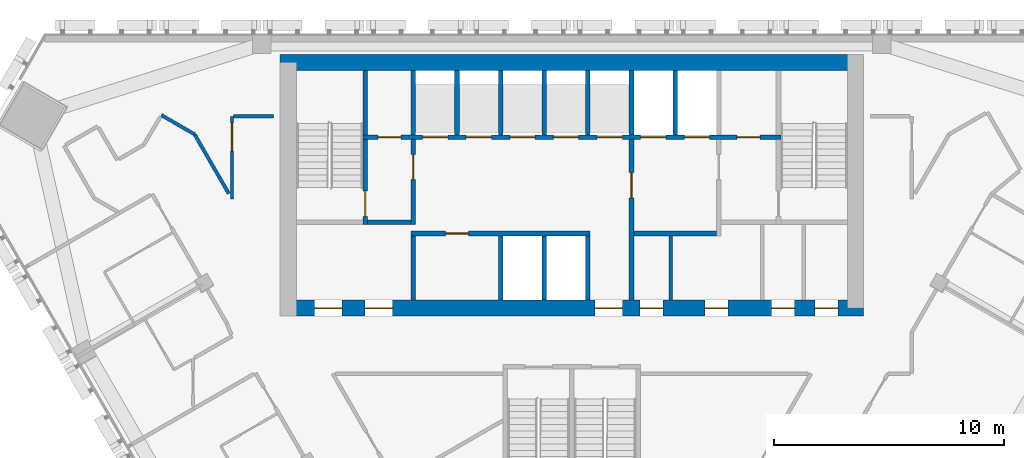
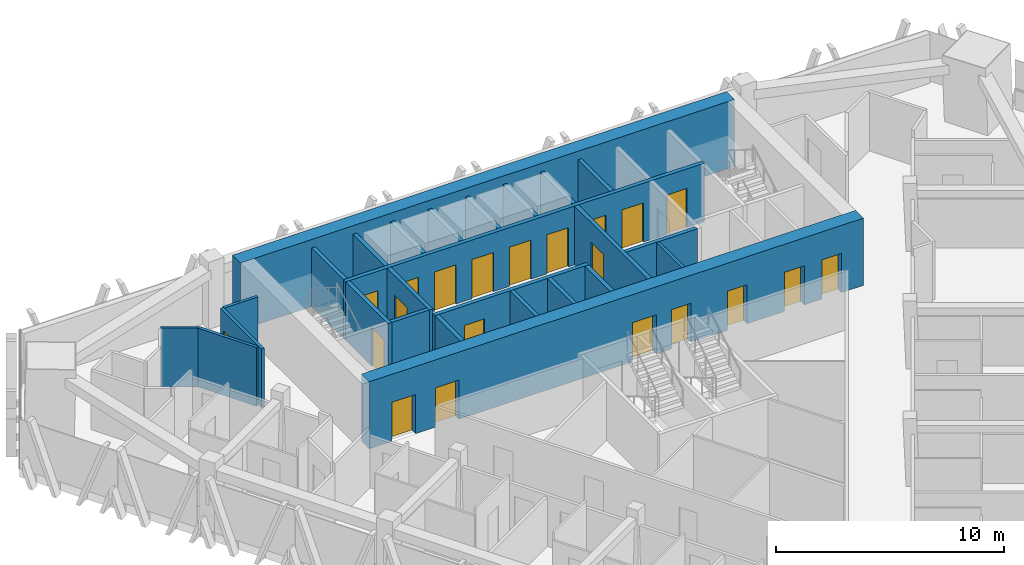
# One storey, part 11 of 16: 26 walls, 21 doors, 21 openings.
"""IFC4 building model written with IfcOpenShell, lengths in metres."""

from ifc_helpers import new_model, si_unit, direction, frame, frame_2d, origin, place, context, subcontext, project, spatial, rectangle, extrude, material, layer, layer_set, type_object, element, fill, save


model = new_model("IFC4")

# Units and contexts
model_context = context("Model", 3, precision=1e-05, world=origin(), true_north=direction((0.0, 1.0)))
body_context = subcontext(model_context, "Body", "Model", "MODEL_VIEW")
ifc_project = project(units=[si_unit("LENGTHUNIT", "METRE"), si_unit("AREAUNIT", "SQUARE_METRE"), si_unit("VOLUMEUNIT", "CUBIC_METRE"), si_unit("PLANEANGLEUNIT", "RADIAN"), si_unit("MASSUNIT", "GRAM", prefix="KILO")], contexts=[model_context])

# Site, building, storey
site_placement = place(None, origin())
site = spatial("IfcSite", under=ifc_project, at=site_placement, CompositionType="ELEMENT")
building_placement = place(site_placement, origin())
building = spatial("IfcBuilding", under=site, at=building_placement, Name="Altiplano Prism Tower", CompositionType="ELEMENT")
storey_placement = place(building_placement, frame((0.0, 0.0, 174.60009765625)))
storey = spatial("IfcBuildingStorey", under=building, at=storey_placement, Name="L45", CompositionType="ELEMENT", Elevation=174.60009765625)

# Wall, openings, doors
ifc_material_1 = material(Name="Concrete C60/75", Category="concrete")
ifc_layer_1 = layer(ifc_material_1, 0.699951171875)
ifc_layer_set_1 = layer_set([ifc_layer_1], Name="Concrete C60/75")
wall_type_1 = type_object("IfcWallType", Name="Core wall 700", PredefinedType="SHEAR", material=ifc_layer_set_1)
wall_1_placement = place(storey_placement, frame((72.64990234375, 93.050048828125, 0.0), z_axis=(0.0, 0.0, 1.0), x_axis=(1.0, 0.0, 0.0)))
wall_1 = element("IfcWall", 1, at=wall_1_placement, inside=storey, type_object=wall_type_1, Name="Core wall S L45", PredefinedType="SHEAR", context=body_context, shape_type="SweptSolid", body=[
    extrude(rectangle(XDim=25.050048828125, YDim=0.699951171875, at=frame_2d((12.52490234375, 0.0))), origin(), (0.0, 0.0, 1.0), 3.599853515625),
])
opening_1_placement = place(wall_1_placement, frame((1.14990234375, 0.0, 0.0)))
opening_1 = element("IfcOpeningElement", 2, at=opening_1_placement, cuts=wall_1, Name="Opening D3201", PredefinedType="OPENING", context=body_context, shape_type="SweptSolid", body=[
    extrude(rectangle(XDim=1.199951171875, YDim=2.10009765625, at=frame_2d((0.60009765625, 1.050048828125))), frame((0.0, 0.3603515625, 0.0), z_axis=(0.0, -1.0, 0.0), x_axis=(1.0, 0.0, 0.0)), (0.0, 0.0, 1.0), 0.720947265625),
])
opening_2_placement = place(wall_1_placement, frame((3.35009765625, 0.0, 0.0)))
opening_2 = element("IfcOpeningElement", 3, at=opening_2_placement, cuts=wall_1, Name="Opening D3202", PredefinedType="OPENING", context=body_context, shape_type="SweptSolid", body=[
    extrude(rectangle(XDim=1.199951171875, YDim=2.10009765625, at=frame_2d((0.60009765625, 1.050048828125))), frame((0.0, 0.3603515625, 0.0), z_axis=(0.0, -1.0, 0.0), x_axis=(1.0, 0.0, 0.0)), (0.0, 0.0, 1.0), 0.720947265625),
])
opening_3_placement = place(wall_1_placement, frame((13.35009765625, 0.0, 0.0)))
opening_3 = element("IfcOpeningElement", 4, at=opening_3_placement, cuts=wall_1, Name="Opening D3203", PredefinedType="OPENING", context=body_context, shape_type="SweptSolid", body=[
    extrude(rectangle(XDim=1.199951171875, YDim=2.10009765625, at=frame_2d((0.60009765625, 1.050048828125))), frame((0.0, 0.3603515625, 0.0), z_axis=(0.0, -1.0, 0.0), x_axis=(1.0, 0.0, 0.0)), (0.0, 0.0, 1.0), 0.720947265625),
])
opening_4_placement = place(wall_1_placement, frame((15.3125, 0.0, 0.0)))
opening_4 = element("IfcOpeningElement", 5, at=opening_4_placement, cuts=wall_1, Name="Opening D3206", PredefinedType="OPENING", context=body_context, shape_type="SweptSolid", body=[
    extrude(rectangle(XDim=1.0, YDim=2.10009765625, at=frame_2d((0.5, 1.050048828125))), frame((0.0, 0.3603515625, 0.0), z_axis=(0.0, -1.0, 0.0), x_axis=(1.0, 0.0, 0.0)), (0.0, 0.0, 1.0), 0.720947265625),
])
opening_5_placement = place(wall_1_placement, frame((18.14990234375, 0.0, 0.0)))
opening_5 = element("IfcOpeningElement", 6, at=opening_5_placement, cuts=wall_1, Name="Opening D3207", PredefinedType="OPENING", context=body_context, shape_type="SweptSolid", body=[
    extrude(rectangle(XDim=1.0, YDim=2.10009765625, at=frame_2d((0.5, 1.050048828125))), frame((0.0, 0.3603515625, 0.0), z_axis=(0.0, -1.0, 0.0), x_axis=(1.0, 0.0, 0.0)), (0.0, 0.0, 1.0), 0.720947265625),
])
opening_6_placement = place(wall_1_placement, frame((21.050048828125, 0.0, 0.0)))
opening_6 = element("IfcOpeningElement", 7, at=opening_6_placement, cuts=wall_1, Name="Opening D3208", PredefinedType="OPENING", context=body_context, shape_type="SweptSolid", body=[
    extrude(rectangle(XDim=1.0, YDim=2.10009765625, at=frame_2d((0.5, 1.050048828125))), frame((0.0, 0.3603515625, 0.0), z_axis=(0.0, -1.0, 0.0), x_axis=(1.0, 0.0, 0.0)), (0.0, 0.0, 1.0), 0.720947265625),
])
opening_7_placement = place(wall_1_placement, frame((22.9375, 0.0, 0.0)))
opening_7 = element("IfcOpeningElement", 8, at=opening_7_placement, cuts=wall_1, Name="Opening D3209", PredefinedType="OPENING", context=body_context, shape_type="SweptSolid", body=[
    extrude(rectangle(XDim=1.0, YDim=2.10009765625, at=frame_2d((0.5, 1.050048828125))), frame((0.0, 0.3603515625, 0.0), z_axis=(0.0, -1.0, 0.0), x_axis=(1.0, 0.0, 0.0)), (0.0, 0.0, 1.0), 0.720947265625),
])
ifc_material_2 = material(Name="Fire-rated steel door", Category="steel")
door_type_1 = type_object("IfcDoorType", Name="Core room door 1000 x 2100", OperationType="NOTDEFINED", PredefinedType="NOTDEFINED", material=ifc_material_2)
door_1_placement = place(opening_4_placement, origin())
door_1 = element("IfcDoor", 9, at=door_1_placement, inside=storey, type_object=door_type_1, Name="Core room door D3206", OperationType="SINGLE_SWING_RIGHT", OverallHeight=2.10009765625, OverallWidth=1.0, PredefinedType="NOTDEFINED", context=body_context, shape_type="SweptSolid", body=[
    extrude(rectangle(XDim=1.0, YDim=2.10009765625, at=frame_2d((0.5, 1.050048828125))), frame((0.0, 0.02490234375, 0.0), z_axis=(0.0, -1.0, 0.0), x_axis=(1.0, 0.0, 0.0)), (0.0, 0.0, 1.0), 0.050048828125),
])
fill(opening_4, door_1)
door_2_placement = place(opening_5_placement, origin())
door_2 = element("IfcDoor", 10, at=door_2_placement, inside=storey, type_object=door_type_1, Name="Core room door D3207", OperationType="SINGLE_SWING_LEFT", OverallHeight=2.10009765625, OverallWidth=1.0, PredefinedType="NOTDEFINED", context=body_context, shape_type="SweptSolid", body=[
    extrude(rectangle(XDim=1.0, YDim=2.10009765625, at=frame_2d((0.5, 1.050048828125))), frame((0.0, 0.02490234375, 0.0), z_axis=(0.0, -1.0, 0.0), x_axis=(1.0, 0.0, 0.0)), (0.0, 0.0, 1.0), 0.050048828125),
])
fill(opening_5, door_2)
door_3_placement = place(opening_6_placement, origin())
door_3 = element("IfcDoor", 11, at=door_3_placement, inside=storey, type_object=door_type_1, Name="Core room door D3208", OperationType="SINGLE_SWING_RIGHT", OverallHeight=2.10009765625, OverallWidth=1.0, PredefinedType="NOTDEFINED", context=body_context, shape_type="SweptSolid", body=[
    extrude(rectangle(XDim=1.0, YDim=2.10009765625, at=frame_2d((0.5, 1.050048828125))), frame((0.0, 0.02490234375, 0.0), z_axis=(0.0, -1.0, 0.0), x_axis=(1.0, 0.0, 0.0)), (0.0, 0.0, 1.0), 0.050048828125),
])
fill(opening_6, door_3)
door_4_placement = place(opening_7_placement, origin())
door_4 = element("IfcDoor", 12, at=door_4_placement, inside=storey, type_object=door_type_1, Name="Core room door D3209", OperationType="SINGLE_SWING_LEFT", OverallHeight=2.10009765625, OverallWidth=1.0, PredefinedType="NOTDEFINED", context=body_context, shape_type="SweptSolid", body=[
    extrude(rectangle(XDim=1.0, YDim=2.10009765625, at=frame_2d((0.5, 1.050048828125))), frame((0.0, 0.02490234375, 0.0), z_axis=(0.0, -1.0, 0.0), x_axis=(1.0, 0.0, 0.0)), (0.0, 0.0, 1.0), 0.050048828125),
])
fill(opening_7, door_4)
door_type_2 = type_object("IfcDoorType", Name="Lobby fire door 1200 x 2100", OperationType="NOTDEFINED", PredefinedType="NOTDEFINED", material=ifc_material_2)
door_5_placement = place(opening_1_placement, origin())
door_5 = element("IfcDoor", 13, at=door_5_placement, inside=storey, type_object=door_type_2, Name="Lobby fire door D3201", OperationType="SINGLE_SWING_RIGHT", OverallHeight=2.10009765625, OverallWidth=1.199951171875, PredefinedType="NOTDEFINED", context=body_context, shape_type="SweptSolid", body=[
    extrude(rectangle(XDim=1.199951171875, YDim=2.10009765625, at=frame_2d((0.60009765625, 1.050048828125))), frame((0.0, 0.02490234375, 0.0), z_axis=(0.0, -1.0, 0.0), x_axis=(1.0, 0.0, 0.0)), (0.0, 0.0, 1.0), 0.050048828125),
])
fill(opening_1, door_5)
door_6_placement = place(opening_2_placement, origin())
door_6 = element("IfcDoor", 14, at=door_6_placement, inside=storey, type_object=door_type_2, Name="Lobby fire door D3202", OperationType="SINGLE_SWING_LEFT", OverallHeight=2.10009765625, OverallWidth=1.199951171875, PredefinedType="NOTDEFINED", context=body_context, shape_type="SweptSolid", body=[
    extrude(rectangle(XDim=1.199951171875, YDim=2.10009765625, at=frame_2d((0.60009765625, 1.050048828125))), frame((0.0, 0.02490234375, 0.0), z_axis=(0.0, -1.0, 0.0), x_axis=(1.0, 0.0, 0.0)), (0.0, 0.0, 1.0), 0.050048828125),
])
fill(opening_2, door_6)
door_7_placement = place(opening_3_placement, origin())
door_7 = element("IfcDoor", 15, at=door_7_placement, inside=storey, type_object=door_type_2, Name="Lobby fire door D3203", OperationType="SINGLE_SWING_RIGHT", OverallHeight=2.10009765625, OverallWidth=1.199951171875, PredefinedType="NOTDEFINED", context=body_context, shape_type="SweptSolid", body=[
    extrude(rectangle(XDim=1.199951171875, YDim=2.10009765625, at=frame_2d((0.60009765625, 1.050048828125))), frame((0.0, 0.02490234375, 0.0), z_axis=(0.0, -1.0, 0.0), x_axis=(1.0, 0.0, 0.0)), (0.0, 0.0, 1.0), 0.050048828125),
])
fill(opening_3, door_7)

# Walls
wall_2_placement = place(storey_placement, frame((97.35009765625, 103.75, 0.0), z_axis=(0.0, 0.0, 1.0), x_axis=(-1.0, 0.0, 0.0)))
element("IfcWall", 16, at=wall_2_placement, inside=storey, type_object=wall_type_1, Name="Core wall N L45", PredefinedType="SHEAR", context=body_context, shape_type="SweptSolid", body=[
    extrude(rectangle(XDim=25.050048828125, YDim=0.699951171875, at=frame_2d((12.52490234375, 0.0))), origin(), (0.0, 0.0, 1.0), 3.599853515625),
])
ifc_material_3 = material(Name="Plasterboard on steel stud", Category="steel")
ifc_layer_2 = layer(ifc_material_3, 0.14990234375)
ifc_layer_set_2 = layer_set([ifc_layer_2], Name="Plasterboard on steel stud")
wall_type_2 = type_object("IfcWallType", Name="Partition 150 corridor", PredefinedType="PARTITIONING", material=ifc_layer_set_2)
wall_3_placement = place(storey_placement, frame((72.0, 101.39990234375, 0.0), z_axis=(0.0, 0.0, 1.0), x_axis=(-1.0, 0.0, 0.0)))
element("IfcWall", 17, at=wall_3_placement, inside=storey, type_object=wall_type_2, Name="Partition P06 L45 020", PredefinedType="PARTITIONING", context=body_context, shape_type="SweptSolid", body=[
    extrude(rectangle(XDim=1.72509765625, YDim=0.14990234375, at=frame_2d((0.862548828125, 0.0))), origin(), (0.0, 0.0, 1.0), 3.14990234375),
])

# Wall, opening, door
wall_4_placement = place(storey_placement, frame((70.199951171875, 101.39990234375, 0.0), z_axis=(0.0, 0.0, 1.0), x_axis=(0.0, -1.0, 0.0)))
wall_4 = element("IfcWall", 18, at=wall_4_placement, inside=storey, type_object=wall_type_2, Name="Partition P06 L45 021", PredefinedType="PARTITIONING", context=body_context, shape_type="SweptSolid", body=[
    extrude(rectangle(XDim=3.604736328125, YDim=0.14990234375, at=frame_2d((1.80224609375, 0.0))), origin(), (0.0, 0.0, 1.0), 3.14990234375),
])
opening_8_placement = place(wall_4_placement, frame((0.294921875, 0.0, 0.0)))
opening_8 = element("IfcOpeningElement", 19, at=opening_8_placement, cuts=wall_4, Name="Opening D1608", PredefinedType="OPENING", context=body_context, shape_type="SweptSolid", body=[
    extrude(rectangle(XDim=1.199951171875, YDim=2.10009765625, at=frame_2d((0.60009765625, 1.050048828125))), frame((0.0, 0.08544921875, 0.0), z_axis=(0.0, -1.0, 0.0), x_axis=(1.0, 0.0, 0.0)), (0.0, 0.0, 1.0), 0.1708984375),
])
ifc_material_4 = material(Name="Timber", Category="wood")
door_type_3 = type_object("IfcDoorType", Name="Shared room door 1200 x 2100", OperationType="NOTDEFINED", PredefinedType="NOTDEFINED", material=ifc_material_4)
door_8_placement = place(opening_8_placement, origin())
door_8 = element("IfcDoor", 20, at=door_8_placement, inside=storey, type_object=door_type_3, Name="Door D1608", OperationType="SINGLE_SWING_RIGHT", OverallHeight=2.10009765625, OverallWidth=1.199951171875, PredefinedType="NOTDEFINED", context=body_context, shape_type="SweptSolid", body=[
    extrude(rectangle(XDim=1.199951171875, YDim=2.10009765625, at=frame_2d((0.60009765625, 1.050048828125))), frame((0.0, 0.02490234375, 0.0), z_axis=(0.0, -1.0, 0.0), x_axis=(1.0, 0.0, 0.0)), (0.0, 0.0, 1.0), 0.050048828125),
])
fill(opening_8, door_8)

# Walls
wall_5_placement = place(storey_placement, frame((70.06005859375, 98.03759765625, 0.0), z_axis=(0.0, 0.0, 1.0), x_axis=(-0.499991453095, 0.866030338286, 0.0)))
element("IfcWall", 21, at=wall_5_placement, inside=storey, type_object=wall_type_2, Name="Partition P06 L45 022", PredefinedType="PARTITIONING", context=body_context, shape_type="SweptSolid", body=[
    extrude(rectangle(XDim=2.9853515625, YDim=0.14990234375, at=frame_2d((1.49267578125, 0.0))), origin(), (0.0, 0.0, 1.0), 3.14990234375),
])
wall_6_placement = place(storey_placement, frame((68.5673828125, 100.623046875, 0.0), z_axis=(0.0, 0.0, 1.0), x_axis=(-0.865750715343, 0.500475472809, 0.0)))
element("IfcWall", 22, at=wall_6_placement, inside=storey, type_object=wall_type_2, Name="Partition P06 L45 023", PredefinedType="PARTITIONING", context=body_context, shape_type="SweptSolid", body=[
    extrude(rectangle(XDim=1.6650390625, YDim=0.14990234375, at=frame_2d((0.83251953125, 0.0))), origin(), (0.0, 0.0, 1.0), 3.14990234375),
])
ifc_material_5 = material(Name="Fire-rated gypsum board partition")
ifc_layer_3 = layer(ifc_material_5, 0.14990234375)
ifc_layer_set_3 = layer_set([ifc_layer_3], Name="Fire-rated gypsum board partition")
wall_type_3 = type_object("IfcWallType", Name="Room partition 150", PredefinedType="PARTITIONING", material=ifc_layer_set_3)
wall_7_placement = place(storey_placement, frame((89.300048828125, 93.39990234375, 0.0), z_axis=(0.0, 0.0, 1.0), x_axis=(0.0, 1.0, 0.0)))
element("IfcWall", 23, at=wall_7_placement, inside=storey, type_object=wall_type_3, Name="Room partition L45", PredefinedType="PARTITIONING", context=body_context, shape_type="SweptSolid", body=[
    extrude(rectangle(XDim=2.800048828125, YDim=0.14990234375, at=frame_2d((1.39990234375, 0.0))), origin(), (0.0, 0.0, 1.0), 3.14990234375),
])
ifc_layer_4 = layer(ifc_material_1, 0.199951171875)
ifc_layer_set_4 = layer_set([ifc_layer_4], Name="Concrete C60/75")
wall_type_4 = type_object("IfcWallType", Name="Shaft wall 200", PredefinedType="SOLIDWALL", material=ifc_layer_set_4)
for number, where, z_axis, x_axis, name in (
    (24, (81.89990234375, 93.39990234375, 0.0), (0.0, 0.0, 1.0), (0.0, 1.0, 0.0), "Shaft wall L45"),
    (25, (83.800048828125, 93.39990234375, 0.0), (0.0, 0.0, 1.0), (0.0, 1.0, 0.0), "Shaft wall L45"),
    (26, (85.699951171875, 93.39990234375, 0.0), (0.0, 0.0, 1.0), (0.0, 1.0, 0.0), "Shaft wall L45"),
):
    element("IfcWall", number, at=place(storey_placement, frame(where, z_axis=z_axis, x_axis=x_axis)), inside=storey, type_object=wall_type_4, Name=name, PredefinedType="SOLIDWALL", context=body_context, shape_type="SweptSolid", body=[
        extrude(rectangle(XDim=2.800048828125, YDim=0.199951171875, at=frame_2d((1.39990234375, 0.0))), origin(), (0.0, 0.0, 1.0), 3.14990234375),
    ])

# Wall, opening, door
wall_8_placement = place(storey_placement, frame((78.0, 96.300048828125, 0.0), z_axis=(0.0, 0.0, 1.0), x_axis=(1.0, 0.0, 0.0)))
wall_8 = element("IfcWall", 27, at=wall_8_placement, inside=storey, type_object=wall_type_4, Name="Shaft wall L45", PredefinedType="SOLIDWALL", context=body_context, shape_type="SweptSolid", body=[
    extrude(rectangle(XDim=7.800048828125, YDim=0.199951171875, at=frame_2d((3.89990234375, 0.0))), origin(), (0.0, 0.0, 1.0), 3.14990234375),
])
opening_9_placement = place(wall_8_placement, frame((1.5, 0.0, 0.0)))
opening_9 = element("IfcOpeningElement", 28, at=opening_9_placement, cuts=wall_8, Name="Opening D3210", PredefinedType="OPENING", context=body_context, shape_type="SweptSolid", body=[
    extrude(rectangle(XDim=1.0, YDim=2.10009765625, at=frame_2d((0.5, 1.050048828125))), frame((0.0, 0.1103515625, 0.0), z_axis=(0.0, -1.0, 0.0), x_axis=(1.0, 0.0, 0.0)), (0.0, 0.0, 1.0), 0.220947265625),
])
door_9_placement = place(opening_9_placement, origin())
door_9 = element("IfcDoor", 29, at=door_9_placement, inside=storey, type_object=door_type_1, Name="Core room door D3210", OperationType="SINGLE_SWING_RIGHT", OverallHeight=2.10009765625, OverallWidth=1.0, PredefinedType="NOTDEFINED", context=body_context, shape_type="SweptSolid", body=[
    extrude(rectangle(XDim=1.0, YDim=2.10009765625, at=frame_2d((0.5, 1.050048828125))), frame((0.0, 0.02490234375, 0.0), z_axis=(0.0, -1.0, 0.0), x_axis=(1.0, 0.0, 0.0)), (0.0, 0.0, 1.0), 0.050048828125),
])
fill(opening_9, door_9)

# Walls
for number, where, z_axis, x_axis, name in (
    (30, (78.10009765625, 100.60009765625, 0.0), (0.0, 0.0, 1.0), (0.0, 1.0, 0.0), "Shaft wall L45"),
    (31, (80.0, 100.60009765625, 0.0), (0.0, 0.0, 1.0), (0.0, 1.0, 0.0), "Shaft wall L45"),
    (32, (81.89990234375, 100.60009765625, 0.0), (0.0, 0.0, 1.0), (0.0, 1.0, 0.0), "Shaft wall L45"),
    (33, (83.800048828125, 100.60009765625, 0.0), (0.0, 0.0, 1.0), (0.0, 1.0, 0.0), "Shaft wall L45"),
    (34, (85.699951171875, 100.60009765625, 0.0), (0.0, 0.0, 1.0), (0.0, 1.0, 0.0), "Shaft wall L45"),
    (35, (87.60009765625, 100.60009765625, 0.0), (0.0, 0.0, 1.0), (0.0, 1.0, 0.0), "Shaft wall L45"),
    (36, (89.5, 100.60009765625, 0.0), (0.0, 0.0, 1.0), (0.0, 1.0, 0.0), "Shaft wall L45"),
):
    element("IfcWall", number, at=place(storey_placement, frame(where, z_axis=z_axis, x_axis=x_axis)), inside=storey, type_object=wall_type_4, Name=name, PredefinedType="SOLIDWALL", context=body_context, shape_type="SweptSolid", body=[
        extrude(rectangle(XDim=2.7998046875, YDim=0.199951171875, at=frame_2d((1.39990234375, 0.0))), origin(), (0.0, 0.0, 1.0), 3.14990234375),
    ])

# Wall, opening, door
ifc_layer_5 = layer(ifc_material_1, 0.199951171875)
ifc_layer_set_5 = layer_set([ifc_layer_5], Name="Concrete C60/75")
wall_type_5 = type_object("IfcWallType", Name="Stair wall 200", PredefinedType="SOLIDWALL", material=ifc_layer_set_5)
wall_9_placement = place(storey_placement, frame((76.0, 96.699951171875, 0.0), z_axis=(0.0, 0.0, 1.0), x_axis=(0.0, 1.0, 0.0)))
wall_9 = element("IfcWall", 37, at=wall_9_placement, inside=storey, type_object=wall_type_5, Name="Stair wall L45", PredefinedType="SOLIDWALL", context=body_context, shape_type="SweptSolid", body=[
    extrude(rectangle(XDim=3.699951171875, YDim=0.199951171875, at=frame_2d((1.85009765625, 0.0))), origin(), (0.0, 0.0, 1.0), 3.14990234375),
])
opening_10_placement = place(wall_9_placement, frame((0.35009765625, 0.0, 0.0)))
opening_10 = element("IfcOpeningElement", 38, at=opening_10_placement, cuts=wall_9, Name="Opening D3196", PredefinedType="OPENING", context=body_context, shape_type="SweptSolid", body=[
    extrude(rectangle(XDim=1.10009765625, YDim=2.10009765625, at=frame_2d((0.550048828125, 1.050048828125))), frame((0.0, 0.1103515625, 0.0), z_axis=(0.0, -1.0, 0.0), x_axis=(1.0, 0.0, 0.0)), (0.0, 0.0, 1.0), 0.220947265625),
])
door_type_4 = type_object("IfcDoorType", Name="Stair fire door 1100 x 2100", OperationType="NOTDEFINED", PredefinedType="NOTDEFINED", material=ifc_material_2)
door_10_placement = place(opening_10_placement, origin())
door_10 = element("IfcDoor", 39, at=door_10_placement, inside=storey, type_object=door_type_4, Name="Stair fire door D3196", OperationType="SINGLE_SWING_RIGHT", OverallHeight=2.10009765625, OverallWidth=1.10009765625, PredefinedType="NOTDEFINED", context=body_context, shape_type="SweptSolid", body=[
    extrude(rectangle(XDim=1.10009765625, YDim=2.10009765625, at=frame_2d((0.550048828125, 1.050048828125))), frame((0.0, 0.02490234375, 0.0), z_axis=(0.0, -1.0, 0.0), x_axis=(1.0, 0.0, 0.0)), (0.0, 0.0, 1.0), 0.050048828125),
])
fill(opening_10, door_10)

# Wall, openings, doors
wall_10_placement = place(storey_placement, frame((75.89990234375, 100.5, 0.0), z_axis=(0.0, 0.0, 1.0), x_axis=(1.0, 0.0, 0.0)))
wall_10 = element("IfcWall", 40, at=wall_10_placement, inside=storey, type_object=wall_type_5, Name="Stair wall L45", PredefinedType="SOLIDWALL", context=body_context, shape_type="SweptSolid", body=[
    extrude(rectangle(XDim=18.2001953125, YDim=0.199951171875, at=frame_2d((9.10009765625, 0.0))), origin(), (0.0, 0.0, 1.0), 3.14990234375),
])
opening_11_placement = place(wall_10_placement, frame((2.60009765625, 0.0, 0.0)))
opening_11 = element("IfcOpeningElement", 41, at=opening_11_placement, cuts=wall_10, Name="Opening LD-ML1-L45", PredefinedType="OPENING", context=body_context, shape_type="SweptSolid", body=[
    extrude(rectangle(XDim=1.10009765625, YDim=2.10009765625, at=frame_2d((0.550048828125, 1.050048828125))), frame((0.0, 0.1103515625, 0.0), z_axis=(0.0, -1.0, 0.0), x_axis=(1.0, 0.0, 0.0)), (0.0, 0.0, 1.0), 0.220947265625),
])
opening_12_placement = place(wall_10_placement, frame((4.5, 0.0, 0.0)))
opening_12 = element("IfcOpeningElement", 42, at=opening_12_placement, cuts=wall_10, Name="Opening LD-ML2-L45", PredefinedType="OPENING", context=body_context, shape_type="SweptSolid", body=[
    extrude(rectangle(XDim=1.10009765625, YDim=2.10009765625, at=frame_2d((0.550048828125, 1.050048828125))), frame((0.0, 0.1103515625, 0.0), z_axis=(0.0, -1.0, 0.0), x_axis=(1.0, 0.0, 0.0)), (0.0, 0.0, 1.0), 0.220947265625),
])
opening_13_placement = place(wall_10_placement, frame((6.39990234375, 0.0, 0.0)))
opening_13 = element("IfcOpeningElement", 43, at=opening_13_placement, cuts=wall_10, Name="Opening LD-ML3-L45", PredefinedType="OPENING", context=body_context, shape_type="SweptSolid", body=[
    extrude(rectangle(XDim=1.10009765625, YDim=2.10009765625, at=frame_2d((0.550048828125, 1.050048828125))), frame((0.0, 0.1103515625, 0.0), z_axis=(0.0, -1.0, 0.0), x_axis=(1.0, 0.0, 0.0)), (0.0, 0.0, 1.0), 0.220947265625),
])
opening_14_placement = place(wall_10_placement, frame((8.300048828125, 0.0, 0.0)))
opening_14 = element("IfcOpeningElement", 44, at=opening_14_placement, cuts=wall_10, Name="Opening LD-ML4-L45", PredefinedType="OPENING", context=body_context, shape_type="SweptSolid", body=[
    extrude(rectangle(XDim=1.10009765625, YDim=2.10009765625, at=frame_2d((0.550048828125, 1.050048828125))), frame((0.0, 0.1103515625, 0.0), z_axis=(0.0, -1.0, 0.0), x_axis=(1.0, 0.0, 0.0)), (0.0, 0.0, 1.0), 0.220947265625),
])
opening_15_placement = place(wall_10_placement, frame((10.199951171875, 0.0, 0.0)))
opening_15 = element("IfcOpeningElement", 45, at=opening_15_placement, cuts=wall_10, Name="Opening LD-ML5-L45", PredefinedType="OPENING", context=body_context, shape_type="SweptSolid", body=[
    extrude(rectangle(XDim=1.10009765625, YDim=2.10009765625, at=frame_2d((0.550048828125, 1.050048828125))), frame((0.0, 0.1103515625, 0.0), z_axis=(0.0, -1.0, 0.0), x_axis=(1.0, 0.0, 0.0)), (0.0, 0.0, 1.0), 0.220947265625),
])
opening_16_placement = place(wall_10_placement, frame((12.10009765625, 0.0, 0.0)))
opening_16 = element("IfcOpeningElement", 46, at=opening_16_placement, cuts=wall_10, Name="Opening LD-FF1-L45", PredefinedType="OPENING", context=body_context, shape_type="SweptSolid", body=[
    extrude(rectangle(XDim=1.10009765625, YDim=2.10009765625, at=frame_2d((0.550048828125, 1.050048828125))), frame((0.0, 0.1103515625, 0.0), z_axis=(0.0, -1.0, 0.0), x_axis=(1.0, 0.0, 0.0)), (0.0, 0.0, 1.0), 0.220947265625),
])
opening_17_placement = place(wall_10_placement, frame((14.0, 0.0, 0.0)))
opening_17 = element("IfcOpeningElement", 47, at=opening_17_placement, cuts=wall_10, Name="Opening LD-FF2-L45", PredefinedType="OPENING", context=body_context, shape_type="SweptSolid", body=[
    extrude(rectangle(XDim=1.10009765625, YDim=2.10009765625, at=frame_2d((0.550048828125, 1.050048828125))), frame((0.0, 0.1103515625, 0.0), z_axis=(0.0, -1.0, 0.0), x_axis=(1.0, 0.0, 0.0)), (0.0, 0.0, 1.0), 0.220947265625),
])
opening_18_placement = place(wall_10_placement, frame((0.64990234375, 0.0, 0.0)))
opening_18 = element("IfcOpeningElement", 48, at=opening_18_placement, cuts=wall_10, Name="Opening D3204", PredefinedType="OPENING", context=body_context, shape_type="SweptSolid", body=[
    extrude(rectangle(XDim=1.0, YDim=2.10009765625, at=frame_2d((0.5, 1.050048828125))), frame((0.0, 0.1103515625, 0.0), z_axis=(0.0, -1.0, 0.0), x_axis=(1.0, 0.0, 0.0)), (0.0, 0.0, 1.0), 0.220947265625),
])
opening_19_placement = place(wall_10_placement, frame((16.300048828125, 0.0, 0.0)))
opening_19 = element("IfcOpeningElement", 49, at=opening_19_placement, cuts=wall_10, Name="Opening D3205", PredefinedType="OPENING", context=body_context, shape_type="SweptSolid", body=[
    extrude(rectangle(XDim=1.0, YDim=2.10009765625, at=frame_2d((0.5, 1.050048828125))), frame((0.0, 0.1103515625, 0.0), z_axis=(0.0, -1.0, 0.0), x_axis=(1.0, 0.0, 0.0)), (0.0, 0.0, 1.0), 0.220947265625),
])
door_11_placement = place(opening_18_placement, origin())
door_11 = element("IfcDoor", 50, at=door_11_placement, inside=storey, type_object=door_type_1, Name="Core room door D3204", OperationType="SINGLE_SWING_LEFT", OverallHeight=2.10009765625, OverallWidth=1.0, PredefinedType="NOTDEFINED", context=body_context, shape_type="SweptSolid", body=[
    extrude(rectangle(XDim=1.0, YDim=2.10009765625, at=frame_2d((0.5, 1.050048828125))), frame((0.0, 0.02490234375, 0.0), z_axis=(0.0, -1.0, 0.0), x_axis=(1.0, 0.0, 0.0)), (0.0, 0.0, 1.0), 0.050048828125),
])
fill(opening_18, door_11)
door_12_placement = place(opening_19_placement, origin())
door_12 = element("IfcDoor", 51, at=door_12_placement, inside=storey, type_object=door_type_1, Name="Core room door D3205", OperationType="SINGLE_SWING_RIGHT", OverallHeight=2.10009765625, OverallWidth=1.0, PredefinedType="NOTDEFINED", context=body_context, shape_type="SweptSolid", body=[
    extrude(rectangle(XDim=1.0, YDim=2.10009765625, at=frame_2d((0.5, 1.050048828125))), frame((0.0, 0.02490234375, 0.0), z_axis=(0.0, -1.0, 0.0), x_axis=(1.0, 0.0, 0.0)), (0.0, 0.0, 1.0), 0.050048828125),
])
fill(opening_19, door_12)
ifc_material_6 = material(Name="Stainless steel landing door", Category="steel")
door_type_5 = type_object("IfcDoorType", Name="Landing door 1100 x 2100", OperationType="NOTDEFINED", PredefinedType="NOTDEFINED", material=ifc_material_6)
door_13_placement = place(opening_11_placement, origin())
door_13 = element("IfcDoor", 52, at=door_13_placement, inside=storey, type_object=door_type_5, Name="Landing doors ML1", OperationType="SLIDING_TO_RIGHT", OverallHeight=2.10009765625, OverallWidth=1.10009765625, PredefinedType="NOTDEFINED", context=body_context, shape_type="SweptSolid", body=[
    extrude(rectangle(XDim=1.10009765625, YDim=2.10009765625, at=frame_2d((0.550048828125, 1.050048828125))), frame((0.0, 0.02490234375, 0.0), z_axis=(0.0, -1.0, 0.0), x_axis=(1.0, 0.0, 0.0)), (0.0, 0.0, 1.0), 0.050048828125),
])
fill(opening_11, door_13)
door_14_placement = place(opening_12_placement, origin())
door_14 = element("IfcDoor", 53, at=door_14_placement, inside=storey, type_object=door_type_5, Name="Landing doors ML2", OperationType="SLIDING_TO_LEFT", OverallHeight=2.10009765625, OverallWidth=1.10009765625, PredefinedType="NOTDEFINED", context=body_context, shape_type="SweptSolid", body=[
    extrude(rectangle(XDim=1.10009765625, YDim=2.10009765625, at=frame_2d((0.550048828125, 1.050048828125))), frame((0.0, 0.02490234375, 0.0), z_axis=(0.0, -1.0, 0.0), x_axis=(1.0, 0.0, 0.0)), (0.0, 0.0, 1.0), 0.050048828125),
])
fill(opening_12, door_14)
door_15_placement = place(opening_13_placement, origin())
door_15 = element("IfcDoor", 54, at=door_15_placement, inside=storey, type_object=door_type_5, Name="Landing doors ML3", OperationType="SLIDING_TO_RIGHT", OverallHeight=2.10009765625, OverallWidth=1.10009765625, PredefinedType="NOTDEFINED", context=body_context, shape_type="SweptSolid", body=[
    extrude(rectangle(XDim=1.10009765625, YDim=2.10009765625, at=frame_2d((0.550048828125, 1.050048828125))), frame((0.0, 0.02490234375, 0.0), z_axis=(0.0, -1.0, 0.0), x_axis=(1.0, 0.0, 0.0)), (0.0, 0.0, 1.0), 0.050048828125),
])
fill(opening_13, door_15)
door_16_placement = place(opening_14_placement, origin())
door_16 = element("IfcDoor", 55, at=door_16_placement, inside=storey, type_object=door_type_5, Name="Landing doors ML4", OperationType="SLIDING_TO_LEFT", OverallHeight=2.10009765625, OverallWidth=1.10009765625, PredefinedType="NOTDEFINED", context=body_context, shape_type="SweptSolid", body=[
    extrude(rectangle(XDim=1.10009765625, YDim=2.10009765625, at=frame_2d((0.550048828125, 1.050048828125))), frame((0.0, 0.02490234375, 0.0), z_axis=(0.0, -1.0, 0.0), x_axis=(1.0, 0.0, 0.0)), (0.0, 0.0, 1.0), 0.050048828125),
])
fill(opening_14, door_16)
door_17_placement = place(opening_15_placement, origin())
door_17 = element("IfcDoor", 56, at=door_17_placement, inside=storey, type_object=door_type_5, Name="Landing doors ML5", OperationType="SLIDING_TO_RIGHT", OverallHeight=2.10009765625, OverallWidth=1.10009765625, PredefinedType="NOTDEFINED", context=body_context, shape_type="SweptSolid", body=[
    extrude(rectangle(XDim=1.10009765625, YDim=2.10009765625, at=frame_2d((0.550048828125, 1.050048828125))), frame((0.0, 0.02490234375, 0.0), z_axis=(0.0, -1.0, 0.0), x_axis=(1.0, 0.0, 0.0)), (0.0, 0.0, 1.0), 0.050048828125),
])
fill(opening_15, door_17)
door_18_placement = place(opening_16_placement, origin())
door_18 = element("IfcDoor", 57, at=door_18_placement, inside=storey, type_object=door_type_5, Name="Landing doors FF1", OperationType="SLIDING_TO_RIGHT", OverallHeight=2.10009765625, OverallWidth=1.10009765625, PredefinedType="NOTDEFINED", context=body_context, shape_type="SweptSolid", body=[
    extrude(rectangle(XDim=1.10009765625, YDim=2.10009765625, at=frame_2d((0.550048828125, 1.050048828125))), frame((0.0, 0.02490234375, 0.0), z_axis=(0.0, -1.0, 0.0), x_axis=(1.0, 0.0, 0.0)), (0.0, 0.0, 1.0), 0.050048828125),
])
fill(opening_16, door_18)
door_19_placement = place(opening_17_placement, origin())
door_19 = element("IfcDoor", 58, at=door_19_placement, inside=storey, type_object=door_type_5, Name="Landing doors FF2", OperationType="SLIDING_TO_LEFT", OverallHeight=2.10009765625, OverallWidth=1.10009765625, PredefinedType="NOTDEFINED", context=body_context, shape_type="SweptSolid", body=[
    extrude(rectangle(XDim=1.10009765625, YDim=2.10009765625, at=frame_2d((0.550048828125, 1.050048828125))), frame((0.0, 0.02490234375, 0.0), z_axis=(0.0, -1.0, 0.0), x_axis=(1.0, 0.0, 0.0)), (0.0, 0.0, 1.0), 0.050048828125),
])
fill(opening_17, door_19)

# Walls
wall_11_placement = place(storey_placement, frame((76.0, 100.60009765625, 0.0), z_axis=(0.0, 0.0, 1.0), x_axis=(0.0, 1.0, 0.0)))
element("IfcWall", 59, at=wall_11_placement, inside=storey, type_object=wall_type_5, Name="Stair wall L45", PredefinedType="SOLIDWALL", context=body_context, shape_type="SweptSolid", body=[
    extrude(rectangle(XDim=2.7998046875, YDim=0.199951171875, at=frame_2d((1.39990234375, 0.0))), origin(), (0.0, 0.0, 1.0), 3.14990234375),
])
ifc_layer_6 = layer(ifc_material_1, 0.199951171875)
ifc_layer_set_6 = layer_set([ifc_layer_6], Name="Concrete C60/75")
wall_type_6 = type_object("IfcWallType", Name="Vestibule wall 200", PredefinedType="PARTITIONING", material=ifc_layer_set_6)
wall_12_placement = place(storey_placement, frame((78.10009765625, 93.39990234375, 0.0), z_axis=(0.0, 0.0, 1.0), x_axis=(0.0, 1.0, 0.0)))
element("IfcWall", 60, at=wall_12_placement, inside=storey, type_object=wall_type_6, Name="Vestibule wall L45", PredefinedType="PARTITIONING", context=body_context, shape_type="SweptSolid", body=[
    extrude(rectangle(XDim=2.800048828125, YDim=0.199951171875, at=frame_2d((1.39990234375, 0.0))), origin(), (0.0, 0.0, 1.0), 3.14990234375),
])

# Wall, opening, door
wall_13_placement = place(storey_placement, frame((87.60009765625, 93.39990234375, 0.0), z_axis=(0.0, 0.0, 1.0), x_axis=(0.0, 1.0, 0.0)))
wall_13 = element("IfcWall", 61, at=wall_13_placement, inside=storey, type_object=wall_type_6, Name="Vestibule wall L45", PredefinedType="PARTITIONING", context=body_context, shape_type="SweptSolid", body=[
    extrude(rectangle(XDim=7.0, YDim=0.199951171875, at=frame_2d((3.5, 0.0))), origin(), (0.0, 0.0, 1.0), 3.14990234375),
])
opening_20_placement = place(wall_13_placement, frame((4.449951171875, 0.0, 0.0)))
opening_20 = element("IfcOpeningElement", 62, at=opening_20_placement, cuts=wall_13, Name="Opening D3199", PredefinedType="OPENING", context=body_context, shape_type="SweptSolid", body=[
    extrude(rectangle(XDim=1.10009765625, YDim=2.10009765625, at=frame_2d((0.550048828125, 1.050048828125))), frame((0.0, 0.1103515625, 0.0), z_axis=(0.0, -1.0, 0.0), x_axis=(1.0, 0.0, 0.0)), (0.0, 0.0, 1.0), 0.220947265625),
])
door_type_6 = type_object("IfcDoorType", Name="Vestibule fire door 1100 x 2100", OperationType="NOTDEFINED", PredefinedType="NOTDEFINED", material=ifc_material_2)
door_20_placement = place(opening_20_placement, origin())
door_20 = element("IfcDoor", 63, at=door_20_placement, inside=storey, type_object=door_type_6, Name="Vestibule fire door D3199", OperationType="SINGLE_SWING_RIGHT", OverallHeight=2.10009765625, OverallWidth=1.10009765625, PredefinedType="NOTDEFINED", context=body_context, shape_type="SweptSolid", body=[
    extrude(rectangle(XDim=1.10009765625, YDim=2.10009765625, at=frame_2d((0.550048828125, 1.050048828125))), frame((0.0, 0.02490234375, 0.0), z_axis=(0.0, -1.0, 0.0), x_axis=(1.0, 0.0, 0.0)), (0.0, 0.0, 1.0), 0.050048828125),
])
fill(opening_20, door_20)

# Walls
wall_14_placement = place(storey_placement, frame((87.699951171875, 96.300048828125, 0.0), z_axis=(0.0, 0.0, 1.0), x_axis=(1.0, 0.0, 0.0)))
element("IfcWall", 64, at=wall_14_placement, inside=storey, type_object=wall_type_6, Name="Vestibule wall L45", PredefinedType="PARTITIONING", context=body_context, shape_type="SweptSolid", body=[
    extrude(rectangle(XDim=3.60009765625, YDim=0.199951171875, at=frame_2d((1.800048828125, 0.0))), origin(), (0.0, 0.0, 1.0), 3.14990234375),
])
wall_15_placement = place(storey_placement, frame((76.10009765625, 96.800048828125, 0.0), z_axis=(0.0, 0.0, 1.0), x_axis=(1.0, 0.0, 0.0)))
element("IfcWall", 65, at=wall_15_placement, inside=storey, type_object=wall_type_6, Name="Vestibule wall L45", PredefinedType="PARTITIONING", context=body_context, shape_type="SweptSolid", body=[
    extrude(rectangle(XDim=1.89990234375, YDim=0.199951171875, at=frame_2d((0.949951171875, 0.0))), origin(), (0.0, 0.0, 1.0), 3.14990234375),
])

# Wall, opening, door
wall_16_placement = place(storey_placement, frame((78.10009765625, 96.699951171875, 0.0), z_axis=(0.0, 0.0, 1.0), x_axis=(0.0, 1.0, 0.0)))
wall_16 = element("IfcWall", 66, at=wall_16_placement, inside=storey, type_object=wall_type_6, Name="Vestibule wall L45", PredefinedType="PARTITIONING", context=body_context, shape_type="SweptSolid", body=[
    extrude(rectangle(XDim=3.699951171875, YDim=0.199951171875, at=frame_2d((1.85009765625, 0.0))), origin(), (0.0, 0.0, 1.0), 3.14990234375),
])
opening_21_placement = place(wall_16_placement, frame((1.949951171875, 0.0, 0.0)))
opening_21 = element("IfcOpeningElement", 67, at=opening_21_placement, cuts=wall_16, Name="Opening D3198", PredefinedType="OPENING", context=body_context, shape_type="SweptSolid", body=[
    extrude(rectangle(XDim=1.10009765625, YDim=2.10009765625, at=frame_2d((0.550048828125, 1.050048828125))), frame((0.0, 0.1103515625, 0.0), z_axis=(0.0, -1.0, 0.0), x_axis=(1.0, 0.0, 0.0)), (0.0, 0.0, 1.0), 0.220947265625),
])
door_21_placement = place(opening_21_placement, origin())
door_21 = element("IfcDoor", 68, at=door_21_placement, inside=storey, type_object=door_type_6, Name="Vestibule fire door D3198", OperationType="SINGLE_SWING_LEFT", OverallHeight=2.10009765625, OverallWidth=1.10009765625, PredefinedType="NOTDEFINED", context=body_context, shape_type="SweptSolid", body=[
    extrude(rectangle(XDim=1.10009765625, YDim=2.10009765625, at=frame_2d((0.550048828125, 1.050048828125))), frame((0.0, 0.02490234375, 0.0), z_axis=(0.0, -1.0, 0.0), x_axis=(1.0, 0.0, 0.0)), (0.0, 0.0, 1.0), 0.050048828125),
])
fill(opening_21, door_21)

save(model, "model.ifc")
